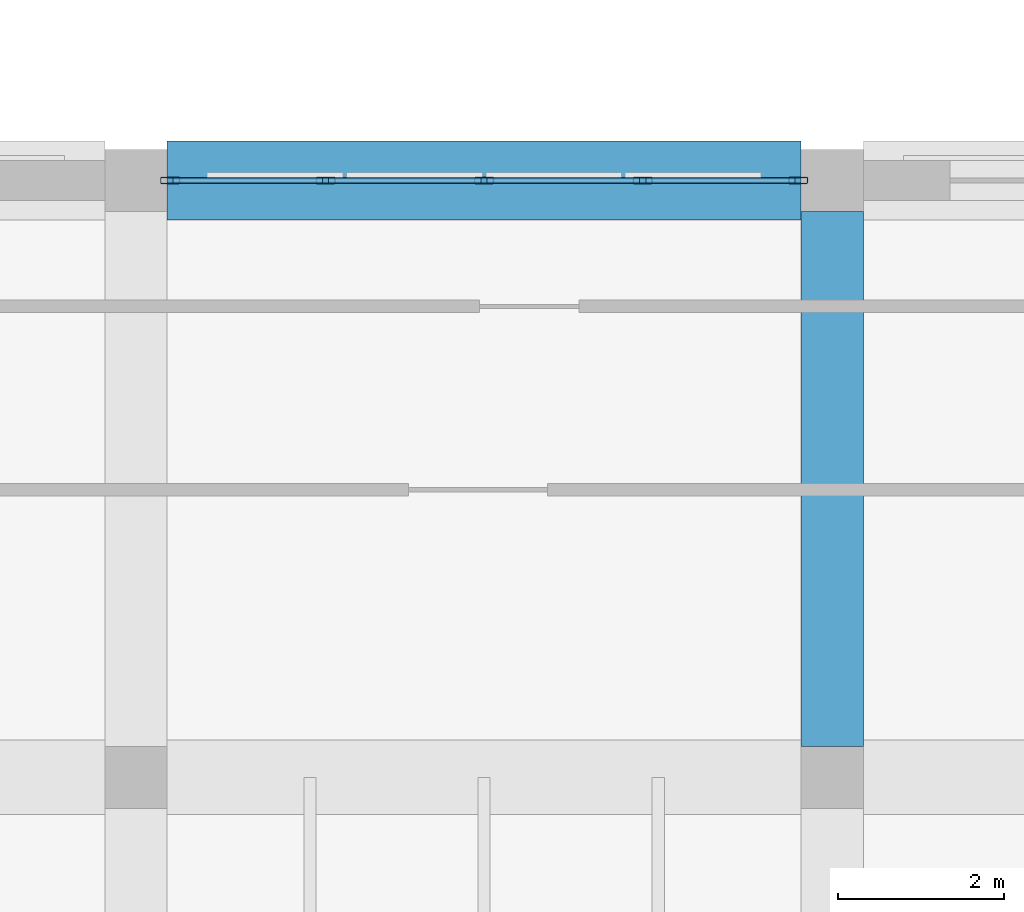
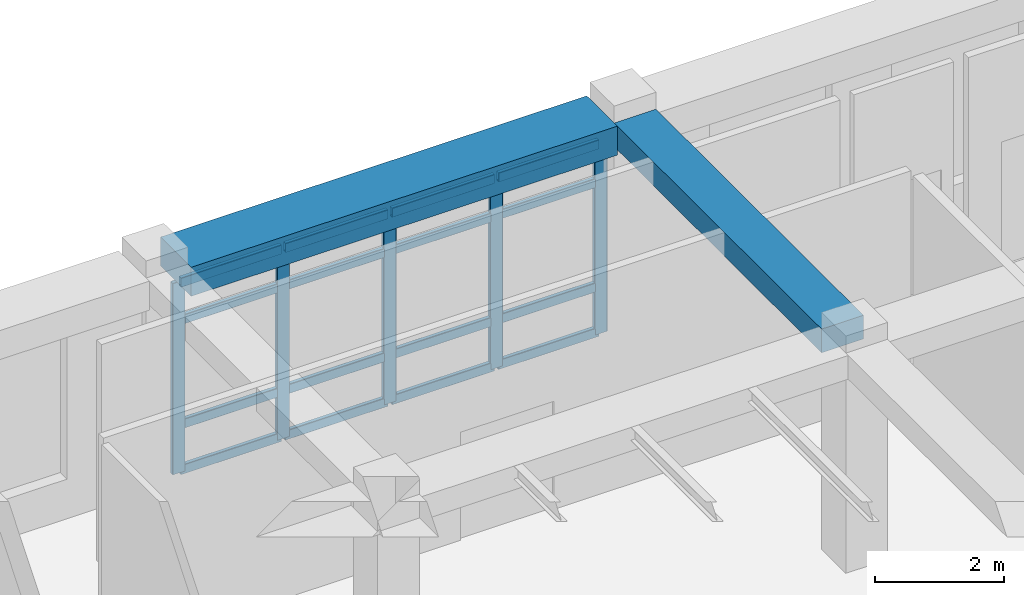
# One storey, part 28 of 111: 21 members, 2 beams, 1 element without a shape of its own.
"""IFC4 building model written with IfcOpenShell, lengths in metres."""

from ifc_helpers import new_model, si_unit, derived_unit, direction, frame, origin, origin_2d, place, context, subcontext, project, spatial, rectangle, hollow_rectangle, extrude, material, material_profile, profile_set, type_object, element, aggregate, save


model = new_model("IFC4")

# Units and contexts
model_context = context("Model", 3, precision=1e-05, world=origin(), true_north=direction((0.0, 1.0)))
body_context = subcontext(model_context, "Body", "Model", "MODEL_VIEW")
ifc_project = project(units=[si_unit("LENGTHUNIT", "METRE"), si_unit("AREAUNIT", "SQUARE_METRE"), si_unit("VOLUMEUNIT", "CUBIC_METRE"), si_unit("PLANEANGLEUNIT", "RADIAN"), si_unit("MASSUNIT", "GRAM", prefix="KILO"), derived_unit("THERMALTRANSMITTANCEUNIT", [(si_unit("POWERUNIT", "WATT"), 1), (si_unit("LENGTHUNIT", "METRE"), -2), (si_unit("THERMODYNAMICTEMPERATUREUNIT", "KELVIN"), -1)])], contexts=[model_context])

# Site, building, storey
site_placement = place(None, origin())
site = spatial("IfcSite", under=ifc_project, at=site_placement, CompositionType="ELEMENT")
building_placement = place(site_placement, origin())
building = spatial("IfcBuilding", under=site, at=building_placement, Name="Veybourne Emporium", CompositionType="ELEMENT")
storey_placement = place(building_placement, frame((0.0, 0.0, 9.89990234375)))
storey = spatial("IfcBuildingStorey", under=building, at=storey_placement, Name="L02", CompositionType="ELEMENT", Elevation=9.89990234375)

# Curtain wall, members
ifc_material_1 = material(Name="Patinated Architectural Bronze", Category="bronze")
curtain_wall_type = type_object("IfcCurtainWallType", Name="CWSystem_CWS-26", PredefinedType="NOTDEFINED", material=ifc_material_1)
curtain_wall_placement = place(storey_placement, origin())
curtain_wall = element("IfcCurtainWall", 1, at=curtain_wall_placement, inside=storey, type_object=curtain_wall_type, Name="L02 bronze glazed curtain wall CWS-26 (066)", PredefinedType="NOTDEFINED")
ifc_material_profile_1 = material_profile(ifc_material_1, hollow_rectangle(XDim=0.074951171875, YDim=0.22998046875, WallThickness=0.0048828125, InnerFilletRadius=0.007568359375, OuterFilletRadius=0.012451171875, at=origin_2d()), Name="CWM 75x230x5")
ifc_profile_set_1 = profile_set([ifc_material_profile_1], Name="Patinated Architectural Bronze")
member_type_1 = type_object("IfcMemberType", Name="CWMullion_CW-M2", PredefinedType="MULLION", material=ifc_profile_set_1)
member_1_placement = place(storey_placement, frame((118.012451171875, 28.800048828125, 0.0), z_axis=(0.0, 0.0, 1.0), x_axis=(0.0, 1.0, 0.0)))
member_1 = element("IfcMember", 2, at=member_1_placement, type_object=member_type_1, Name="CWS-26 mullion 1", PredefinedType="MULLION", context=body_context, shape_type="SweptSolid", body=[
    extrude(hollow_rectangle(XDim=0.074951171875, YDim=0.22998046875, WallThickness=0.0048828125, InnerFilletRadius=0.007568359375, OuterFilletRadius=0.012451171875, at=origin_2d()), origin(), (0.0, 0.0, 1.0), 3.630126953125),
])
member_2_placement = place(storey_placement, frame((119.887451171875, 28.800048828125, 0.0), z_axis=(0.0, 0.0, 1.0), x_axis=(0.0, 1.0, 0.0)))
member_2 = element("IfcMember", 3, at=member_2_placement, type_object=member_type_1, Name="CWS-26 mullion 2", PredefinedType="MULLION", context=body_context, shape_type="SweptSolid", body=[
    extrude(hollow_rectangle(XDim=0.074951171875, YDim=0.22998046875, WallThickness=0.0048828125, InnerFilletRadius=0.007568359375, OuterFilletRadius=0.012451171875, at=origin_2d()), origin(), (0.0, 0.0, 1.0), 3.630126953125),
])
member_3_placement = place(storey_placement, frame((121.800048828125, 28.800048828125, 0.0), z_axis=(0.0, 0.0, 1.0), x_axis=(0.0, 1.0, 0.0)))
member_3 = element("IfcMember", 4, at=member_3_placement, type_object=member_type_1, Name="CWS-26 mullion 3", PredefinedType="MULLION", context=body_context, shape_type="SweptSolid", body=[
    extrude(hollow_rectangle(XDim=0.074951171875, YDim=0.22998046875, WallThickness=0.0048828125, InnerFilletRadius=0.007568359375, OuterFilletRadius=0.012451171875, at=origin_2d()), origin(), (0.0, 0.0, 1.0), 3.630126953125),
])
member_4_placement = place(storey_placement, frame((123.71240234375, 28.800048828125, 0.0), z_axis=(0.0, 0.0, 1.0), x_axis=(0.0, 1.0, 0.0)))
member_4 = element("IfcMember", 5, at=member_4_placement, type_object=member_type_1, Name="CWS-26 mullion 4", PredefinedType="MULLION", context=body_context, shape_type="SweptSolid", body=[
    extrude(hollow_rectangle(XDim=0.074951171875, YDim=0.22998046875, WallThickness=0.0048828125, InnerFilletRadius=0.007568359375, OuterFilletRadius=0.012451171875, at=origin_2d()), origin(), (0.0, 0.0, 1.0), 3.630126953125),
])
member_5_placement = place(storey_placement, frame((125.58740234375, 28.800048828125, 0.0), z_axis=(0.0, 0.0, 1.0), x_axis=(0.0, 1.0, 0.0)))
member_5 = element("IfcMember", 6, at=member_5_placement, type_object=member_type_1, Name="CWS-26 mullion 5", PredefinedType="MULLION", context=body_context, shape_type="SweptSolid", body=[
    extrude(hollow_rectangle(XDim=0.074951171875, YDim=0.22998046875, WallThickness=0.0048828125, InnerFilletRadius=0.007568359375, OuterFilletRadius=0.012451171875, at=origin_2d()), origin(), (0.0, 0.0, 1.0), 3.630126953125),
])
ifc_material_profile_2 = material_profile(ifc_material_1, hollow_rectangle(XDim=0.074951171875, YDim=0.179931640625, WallThickness=0.0048828125, InnerFilletRadius=0.007568359375, OuterFilletRadius=0.012451171875, at=origin_2d()), Name="CWT 75x180x5")
ifc_profile_set_2 = profile_set([ifc_material_profile_2], Name="Patinated Architectural Bronze")
member_type_2 = type_object("IfcMemberType", Name="CWTransom_CW-T2", PredefinedType="NOTDEFINED", material=ifc_profile_set_2)
member_6_placement = place(storey_placement, frame((118.050048828125, 28.800048828125, 0.03759765625), z_axis=(1.0, 0.0, 0.0), x_axis=(0.0, 1.0, 0.0)))
member_6 = element("IfcMember", 7, at=member_6_placement, type_object=member_type_2, Name="CWS-26 transom 1.1", ObjectType="TRANSOM", PredefinedType="USERDEFINED", context=body_context, shape_type="SweptSolid", body=[
    extrude(hollow_rectangle(XDim=0.074951171875, YDim=0.179931640625, WallThickness=0.0048828125, InnerFilletRadius=0.007568359375, OuterFilletRadius=0.012451171875, at=origin_2d()), origin(), (0.0, 0.0, 1.0), 1.800048828125),
])
member_7_placement = place(storey_placement, frame((118.050048828125, 28.800048828125, 0.900146484375), z_axis=(1.0, 0.0, 0.0), x_axis=(0.0, 1.0, 0.0)))
member_7 = element("IfcMember", 8, at=member_7_placement, type_object=member_type_2, Name="CWS-26 transom 1.2", ObjectType="TRANSOM", PredefinedType="USERDEFINED", context=body_context, shape_type="SweptSolid", body=[
    extrude(hollow_rectangle(XDim=0.074951171875, YDim=0.179931640625, WallThickness=0.0048828125, InnerFilletRadius=0.007568359375, OuterFilletRadius=0.012451171875, at=origin_2d()), origin(), (0.0, 0.0, 1.0), 1.800048828125),
])
member_8_placement = place(storey_placement, frame((118.050048828125, 28.800048828125, 2.880126953125), z_axis=(1.0, 0.0, 0.0), x_axis=(0.0, 1.0, 0.0)))
member_8 = element("IfcMember", 9, at=member_8_placement, type_object=member_type_2, Name="CWS-26 transom 1.3", ObjectType="TRANSOM", PredefinedType="USERDEFINED", context=body_context, shape_type="SweptSolid", body=[
    extrude(hollow_rectangle(XDim=0.074951171875, YDim=0.179931640625, WallThickness=0.0048828125, InnerFilletRadius=0.007568359375, OuterFilletRadius=0.012451171875, at=origin_2d()), origin(), (0.0, 0.0, 1.0), 1.800048828125),
])
member_9_placement = place(storey_placement, frame((118.050048828125, 28.800048828125, 3.592529296875), z_axis=(1.0, 0.0, 0.0), x_axis=(0.0, 1.0, 0.0)))
member_9 = element("IfcMember", 10, at=member_9_placement, type_object=member_type_2, Name="CWS-26 transom 1.4", ObjectType="TRANSOM", PredefinedType="USERDEFINED", context=body_context, shape_type="SweptSolid", body=[
    extrude(hollow_rectangle(XDim=0.074951171875, YDim=0.179931640625, WallThickness=0.0048828125, InnerFilletRadius=0.007568359375, OuterFilletRadius=0.012451171875, at=origin_2d()), origin(), (0.0, 0.0, 1.0), 1.800048828125),
])
member_10_placement = place(storey_placement, frame((119.925048828125, 28.800048828125, 0.03759765625), z_axis=(1.0, 0.0, 0.0), x_axis=(0.0, 1.0, 0.0)))
member_10 = element("IfcMember", 11, at=member_10_placement, type_object=member_type_2, Name="CWS-26 transom 2.1", ObjectType="TRANSOM", PredefinedType="USERDEFINED", context=body_context, shape_type="SweptSolid", body=[
    extrude(hollow_rectangle(XDim=0.074951171875, YDim=0.179931640625, WallThickness=0.0048828125, InnerFilletRadius=0.007568359375, OuterFilletRadius=0.012451171875, at=origin_2d()), origin(), (0.0, 0.0, 1.0), 1.83740234375),
])
member_11_placement = place(storey_placement, frame((119.925048828125, 28.800048828125, 0.900146484375), z_axis=(1.0, 0.0, 0.0), x_axis=(0.0, 1.0, 0.0)))
member_11 = element("IfcMember", 12, at=member_11_placement, type_object=member_type_2, Name="CWS-26 transom 2.2", ObjectType="TRANSOM", PredefinedType="USERDEFINED", context=body_context, shape_type="SweptSolid", body=[
    extrude(hollow_rectangle(XDim=0.074951171875, YDim=0.179931640625, WallThickness=0.0048828125, InnerFilletRadius=0.007568359375, OuterFilletRadius=0.012451171875, at=origin_2d()), origin(), (0.0, 0.0, 1.0), 1.83740234375),
])
member_12_placement = place(storey_placement, frame((119.925048828125, 28.800048828125, 2.880126953125), z_axis=(1.0, 0.0, 0.0), x_axis=(0.0, 1.0, 0.0)))
member_12 = element("IfcMember", 13, at=member_12_placement, type_object=member_type_2, Name="CWS-26 transom 2.3", ObjectType="TRANSOM", PredefinedType="USERDEFINED", context=body_context, shape_type="SweptSolid", body=[
    extrude(hollow_rectangle(XDim=0.074951171875, YDim=0.179931640625, WallThickness=0.0048828125, InnerFilletRadius=0.007568359375, OuterFilletRadius=0.012451171875, at=origin_2d()), origin(), (0.0, 0.0, 1.0), 1.83740234375),
])
member_13_placement = place(storey_placement, frame((119.925048828125, 28.800048828125, 3.592529296875), z_axis=(1.0, 0.0, 0.0), x_axis=(0.0, 1.0, 0.0)))
member_13 = element("IfcMember", 14, at=member_13_placement, type_object=member_type_2, Name="CWS-26 transom 2.4", ObjectType="TRANSOM", PredefinedType="USERDEFINED", context=body_context, shape_type="SweptSolid", body=[
    extrude(hollow_rectangle(XDim=0.074951171875, YDim=0.179931640625, WallThickness=0.0048828125, InnerFilletRadius=0.007568359375, OuterFilletRadius=0.012451171875, at=origin_2d()), origin(), (0.0, 0.0, 1.0), 1.83740234375),
])
member_14_placement = place(storey_placement, frame((121.83740234375, 28.800048828125, 0.03759765625), z_axis=(1.0, 0.0, 0.0), x_axis=(0.0, 1.0, 0.0)))
member_14 = element("IfcMember", 15, at=member_14_placement, type_object=member_type_2, Name="CWS-26 transom 3.1", ObjectType="TRANSOM", PredefinedType="USERDEFINED", context=body_context, shape_type="SweptSolid", body=[
    extrude(hollow_rectangle(XDim=0.074951171875, YDim=0.179931640625, WallThickness=0.0048828125, InnerFilletRadius=0.007568359375, OuterFilletRadius=0.012451171875, at=origin_2d()), origin(), (0.0, 0.0, 1.0), 1.837646484375),
])
member_15_placement = place(storey_placement, frame((121.83740234375, 28.800048828125, 0.900146484375), z_axis=(1.0, 0.0, 0.0), x_axis=(0.0, 1.0, 0.0)))
member_15 = element("IfcMember", 16, at=member_15_placement, type_object=member_type_2, Name="CWS-26 transom 3.2", ObjectType="TRANSOM", PredefinedType="USERDEFINED", context=body_context, shape_type="SweptSolid", body=[
    extrude(hollow_rectangle(XDim=0.074951171875, YDim=0.179931640625, WallThickness=0.0048828125, InnerFilletRadius=0.007568359375, OuterFilletRadius=0.012451171875, at=origin_2d()), origin(), (0.0, 0.0, 1.0), 1.837646484375),
])
member_16_placement = place(storey_placement, frame((121.83740234375, 28.800048828125, 2.880126953125), z_axis=(1.0, 0.0, 0.0), x_axis=(0.0, 1.0, 0.0)))
member_16 = element("IfcMember", 17, at=member_16_placement, type_object=member_type_2, Name="CWS-26 transom 3.3", ObjectType="TRANSOM", PredefinedType="USERDEFINED", context=body_context, shape_type="SweptSolid", body=[
    extrude(hollow_rectangle(XDim=0.074951171875, YDim=0.179931640625, WallThickness=0.0048828125, InnerFilletRadius=0.007568359375, OuterFilletRadius=0.012451171875, at=origin_2d()), origin(), (0.0, 0.0, 1.0), 1.837646484375),
])
member_17_placement = place(storey_placement, frame((121.83740234375, 28.800048828125, 3.592529296875), z_axis=(1.0, 0.0, 0.0), x_axis=(0.0, 1.0, 0.0)))
member_17 = element("IfcMember", 18, at=member_17_placement, type_object=member_type_2, Name="CWS-26 transom 3.4", ObjectType="TRANSOM", PredefinedType="USERDEFINED", context=body_context, shape_type="SweptSolid", body=[
    extrude(hollow_rectangle(XDim=0.074951171875, YDim=0.179931640625, WallThickness=0.0048828125, InnerFilletRadius=0.007568359375, OuterFilletRadius=0.012451171875, at=origin_2d()), origin(), (0.0, 0.0, 1.0), 1.837646484375),
])
member_18_placement = place(storey_placement, frame((123.75, 28.800048828125, 0.03759765625), z_axis=(1.0, 0.0, 0.0), x_axis=(0.0, 1.0, 0.0)))
member_18 = element("IfcMember", 19, at=member_18_placement, type_object=member_type_2, Name="CWS-26 transom 4.1", ObjectType="TRANSOM", PredefinedType="USERDEFINED", context=body_context, shape_type="SweptSolid", body=[
    extrude(hollow_rectangle(XDim=0.074951171875, YDim=0.179931640625, WallThickness=0.0048828125, InnerFilletRadius=0.007568359375, OuterFilletRadius=0.012451171875, at=origin_2d()), origin(), (0.0, 0.0, 1.0), 1.800048828125),
])
member_19_placement = place(storey_placement, frame((123.75, 28.800048828125, 0.900146484375), z_axis=(1.0, 0.0, 0.0), x_axis=(0.0, 1.0, 0.0)))
member_19 = element("IfcMember", 20, at=member_19_placement, type_object=member_type_2, Name="CWS-26 transom 4.2", ObjectType="TRANSOM", PredefinedType="USERDEFINED", context=body_context, shape_type="SweptSolid", body=[
    extrude(hollow_rectangle(XDim=0.074951171875, YDim=0.179931640625, WallThickness=0.0048828125, InnerFilletRadius=0.007568359375, OuterFilletRadius=0.012451171875, at=origin_2d()), origin(), (0.0, 0.0, 1.0), 1.800048828125),
])
member_20_placement = place(storey_placement, frame((123.75, 28.800048828125, 2.880126953125), z_axis=(1.0, 0.0, 0.0), x_axis=(0.0, 1.0, 0.0)))
member_20 = element("IfcMember", 21, at=member_20_placement, type_object=member_type_2, Name="CWS-26 transom 4.3", ObjectType="TRANSOM", PredefinedType="USERDEFINED", context=body_context, shape_type="SweptSolid", body=[
    extrude(hollow_rectangle(XDim=0.074951171875, YDim=0.179931640625, WallThickness=0.0048828125, InnerFilletRadius=0.007568359375, OuterFilletRadius=0.012451171875, at=origin_2d()), origin(), (0.0, 0.0, 1.0), 1.800048828125),
])
member_21_placement = place(storey_placement, frame((123.75, 28.800048828125, 3.592529296875), z_axis=(1.0, 0.0, 0.0), x_axis=(0.0, 1.0, 0.0)))
member_21 = element("IfcMember", 22, at=member_21_placement, type_object=member_type_2, Name="CWS-26 transom 4.4", ObjectType="TRANSOM", PredefinedType="USERDEFINED", context=body_context, shape_type="SweptSolid", body=[
    extrude(hollow_rectangle(XDim=0.074951171875, YDim=0.179931640625, WallThickness=0.0048828125, InnerFilletRadius=0.007568359375, OuterFilletRadius=0.012451171875, at=origin_2d()), origin(), (0.0, 0.0, 1.0), 1.800048828125),
])
aggregate(curtain_wall, [member_1, member_2, member_3, member_4, member_5, member_6, member_7, member_8, member_9, member_10, member_11, member_12, member_13, member_14, member_15, member_16, member_17, member_18, member_19, member_20, member_21])

# Beams
ifc_material_2 = material(Name="Concrete C32/40", Category="concrete")
ifc_material_profile_3 = material_profile(ifc_material_2, rectangle(XDim=0.75, YDim=0.449951171875, at=origin_2d()), Name="RC 750x450")
ifc_profile_set_3 = profile_set([ifc_material_profile_3], Name="Concrete C32/40")
beam_type_1 = type_object("IfcBeamType", Name="RCBeam_BB-04", PredefinedType="BEAM", material=ifc_profile_set_3)
beam_1_placement = place(storey_placement, frame((126.0, 21.97509765625, 3.955078125), z_axis=(0.0, 1.0, 0.0), x_axis=(-1.0, 0.0, 0.0)))
element("IfcBeam", 23, at=beam_1_placement, inside=storey, type_object=beam_type_1, Name="L02 Y-grid beam BB-04 (15,3)", PredefinedType="BEAM", context=body_context, shape_type="SweptSolid", body=[
    extrude(rectangle(XDim=0.75, YDim=0.449951171875, at=origin_2d()), origin(), (0.0, 0.0, 1.0), 6.449951171875),
])
ifc_material_profile_4 = material_profile(ifc_material_2, rectangle(XDim=0.949951171875, YDim=0.550048828125, at=origin_2d()), Name="RC 950x550")
ifc_profile_set_4 = profile_set([ifc_material_profile_4], Name="Concrete C32/40")
beam_type_2 = type_object("IfcBeamType", Name="RCBeam_EB-01", PredefinedType="SPANDREL", material=ifc_profile_set_4)
beam_2_placement = place(storey_placement, frame((117.97509765625, 28.800048828125, 3.905029296875), z_axis=(1.0, 0.0, 0.0), x_axis=(0.0, 1.0, 0.0)))
element("IfcBeam", 24, at=beam_2_placement, inside=storey, type_object=beam_type_2, Name="L02 X-grid beam EB-01 (14,4)", PredefinedType="SPANDREL", context=body_context, shape_type="SweptSolid", body=[
    extrude(rectangle(XDim=0.949951171875, YDim=0.550048828125, at=origin_2d()), origin(), (0.0, 0.0, 1.0), 7.64990234375),
])

save(model, "model.ifc")
